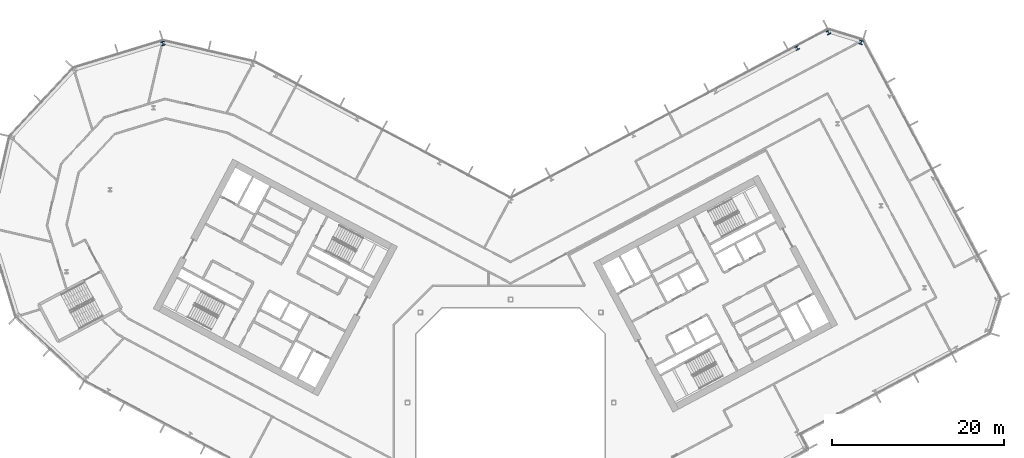
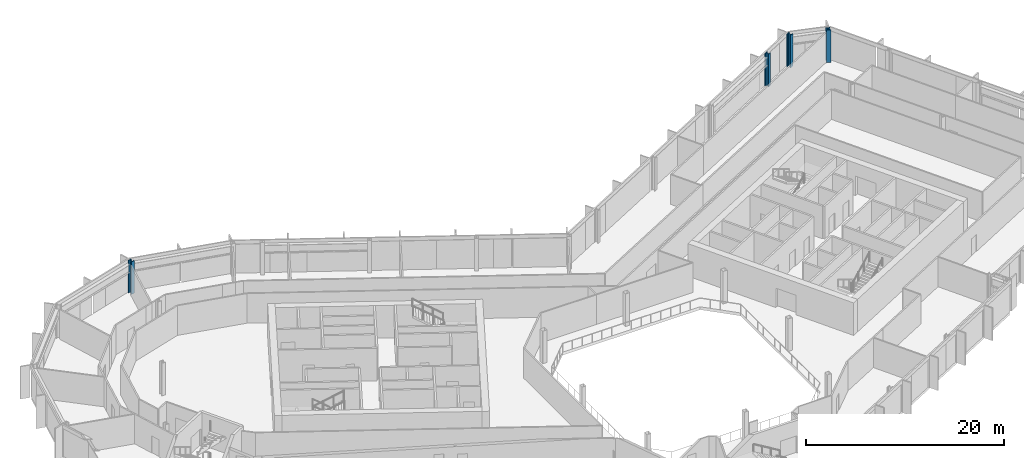
# One storey, part 8 of 28: 4 columns.
"""IFC4 building model written with IfcOpenShell, lengths in metres."""

from ifc_helpers import new_model, si_unit, direction, frame, origin, origin_2d, place, context, subcontext, project, spatial, i_section, extrude, material, material_profile, profile_set, type_object, element, save


model = new_model("IFC4")

# Units and contexts
model_context = context("Model", 3, precision=1e-05, world=origin(), true_north=direction((0.0, 1.0)))
body_context = subcontext(model_context, "Body", "Model", "MODEL_VIEW")
ifc_project = project(units=[si_unit("LENGTHUNIT", "METRE"), si_unit("AREAUNIT", "SQUARE_METRE"), si_unit("VOLUMEUNIT", "CUBIC_METRE"), si_unit("PLANEANGLEUNIT", "RADIAN"), si_unit("MASSUNIT", "GRAM", prefix="KILO")], contexts=[model_context])

# Site, building, storey
site_placement = place(None, origin())
site = spatial("IfcSite", under=ifc_project, at=site_placement, CompositionType="ELEMENT")
building_placement = place(site_placement, origin())
building = spatial("IfcBuilding", under=site, at=building_placement, Name="Cormorant Relay Tower", CompositionType="ELEMENT")
storey_placement = place(building_placement, frame((0.0, 0.0, 154.199951171875)))
storey = spatial("IfcBuildingStorey", under=building, at=storey_placement, Name="L32", CompositionType="ELEMENT", Elevation=154.199951171875)

# Columns
ifc_material_1 = material(Name="Steel ASTM A992 (Fy 345 MPa)", Category="steel")
ifc_material_profile_1 = material_profile(ifc_material_1, i_section(OverallWidth=0.41162109375, OverallDepth=0.434326171875, WebThickness=0.035888671875, FlangeThickness=0.057373046875, FilletRadius=0.01513671875, at=origin_2d()), Name="W360x463")
ifc_profile_set_1 = profile_set([ifc_material_profile_1], Name="Steel ASTM A992 (Fy 345 MPa)")
column_type_1 = type_object("IfcColumnType", Name="Column W360x463", PredefinedType="COLUMN", material=ifc_profile_set_1)
column_placement = place(storey_placement, frame((33.33203125, 41.258056640625, 0.0), z_axis=(0.0, 0.0, 1.0), x_axis=(-0.882947592859, -0.469471562786, 0.0)))
element("IfcColumn", 1, at=column_placement, inside=storey, type_object=column_type_1, Name="Column L32-047", PredefinedType="COLUMN", context=body_context, shape_type="SweptSolid", body=[
    extrude(i_section(OverallWidth=0.41162109375, OverallDepth=0.434326171875, WebThickness=0.035888671875, FlangeThickness=0.057373046875, FilletRadius=0.01513671875, at=origin_2d()), origin(), (0.0, 0.0, 1.0), 4.0),
])
ifc_material_2 = material(Name="Steel ASTM A992 (Fy 345 MPa)", Category="steel")
ifc_material_profile_2 = material_profile(ifc_material_2, i_section(OverallWidth=0.42431640625, OverallDepth=0.47509765625, WebThickness=0.0478515625, FlangeThickness=0.0771484375, FilletRadius=0.014892578125, at=origin_2d()), Name="W360x634")
ifc_profile_set_2 = profile_set([ifc_material_profile_2], Name="Steel ASTM A992 (Fy 345 MPa)")
column_type_2 = type_object("IfcColumnType", Name="Column W360x634", PredefinedType="COLUMN", material=ifc_profile_set_2)
for number, where, z_axis, x_axis, name in (
    (2, (-40.4541015625, 41.783935546875, 0.0), (0.0, 0.0, 1.0), (-0.956304755963, -0.292371704723, 0.0), "Column L32-048"),
    (3, (40.77197265625, 41.9130859375, 0.0), (0.0, 0.0, 1.0), (-0.956304755963, 0.292371704723, 0.0), "Column L32-049"),
    (4, (36.970947265625, 43.075927734375, 0.0), (0.0, 0.0, 1.0), (-0.882947592859, -0.469471562786, 0.0), "Column L32-050"),
):
    element("IfcColumn", number, at=place(storey_placement, frame(where, z_axis=z_axis, x_axis=x_axis)), inside=storey, type_object=column_type_2, Name=name, PredefinedType="COLUMN", context=body_context, shape_type="SweptSolid", body=[
        extrude(i_section(OverallWidth=0.42431640625, OverallDepth=0.47509765625, WebThickness=0.0478515625, FlangeThickness=0.0771484375, FilletRadius=0.014892578125, at=origin_2d()), origin(), (0.0, 0.0, 1.0), 4.0),
    ])

save(model, "model.ifc")
